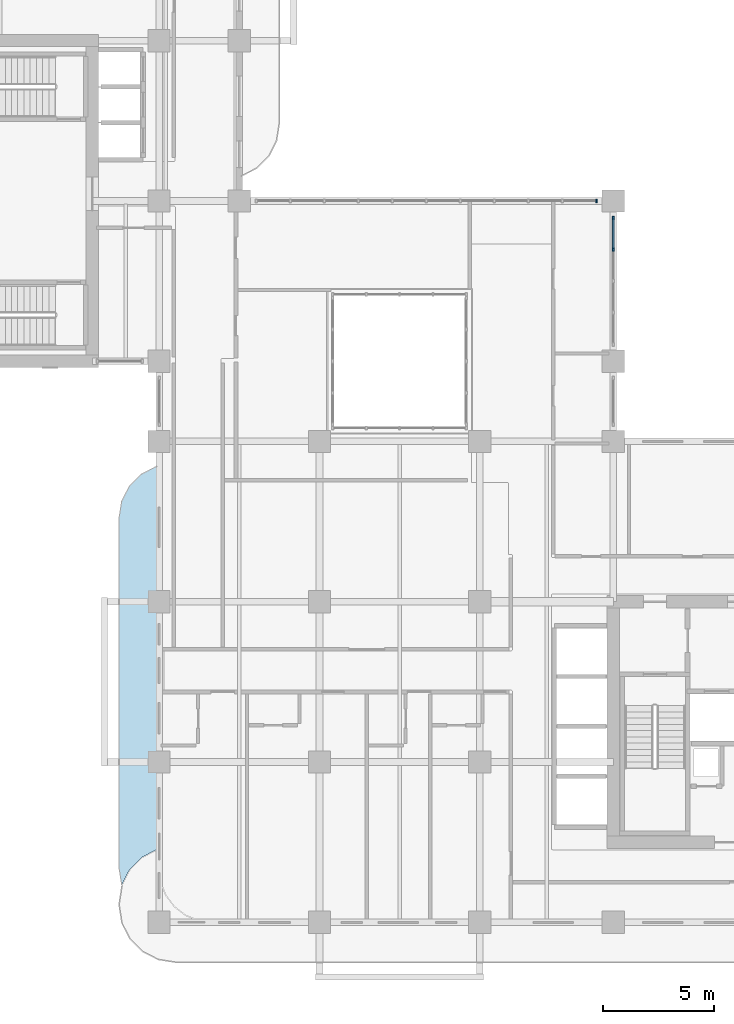
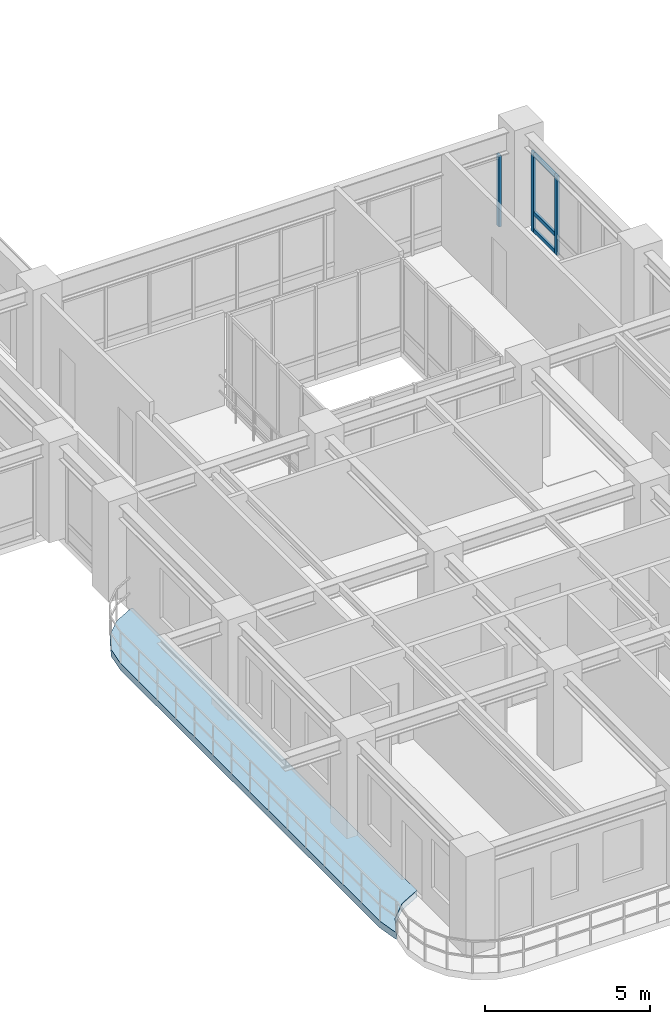
# One storey, part 7 of 20: 6 members, 1 slab, 2 elements without a shape of their own.
"""IFC4 building model written with IfcOpenShell, lengths in metres."""

from ifc_helpers import new_model, si_unit, derived_unit, direction, frame, origin, origin_2d, place, context, subcontext, project, spatial, polyline, rectangle, outline, extrude, source, transform, mapped, material, layer, layer_set, material_profile, profile_set, type_object, element, aggregate, save


model = new_model("IFC4")

# Units and contexts
model_context = context("Model", 3, precision=1e-05, world=origin(), true_north=direction((0.0, 1.0)))
body_context = subcontext(model_context, "Body", "Model", "MODEL_VIEW")
ifc_project = project(units=[si_unit("LENGTHUNIT", "METRE"), si_unit("AREAUNIT", "SQUARE_METRE"), si_unit("VOLUMEUNIT", "CUBIC_METRE"), si_unit("PLANEANGLEUNIT", "RADIAN"), si_unit("MASSUNIT", "GRAM", prefix="KILO"), si_unit("THERMODYNAMICTEMPERATUREUNIT", "KELVIN"), si_unit("POWERUNIT", "WATT"), derived_unit("THERMALTRANSMITTANCEUNIT", [(si_unit("POWERUNIT", "WATT"), 1), (si_unit("AREAUNIT", "SQUARE_METRE"), -1), (si_unit("THERMODYNAMICTEMPERATUREUNIT", "KELVIN"), -1)])], contexts=[model_context])

# Site, building, storey
site_placement = place(None, origin())
site = spatial("IfcSite", under=ifc_project, at=site_placement, CompositionType="ELEMENT")
building_placement = place(site_placement, origin())
building = spatial("IfcBuilding", under=site, at=building_placement, Name="Zahravan Archway Hotel and Residences", CompositionType="ELEMENT")
storey_placement = place(building_placement, frame((0.0, 0.0, 119.199951171875)))
storey = spatial("IfcBuildingStorey", under=building, at=storey_placement, Name="L29", CompositionType="ELEMENT", Elevation=119.199951171875)

# Curtain wall, members
ifc_material_1 = material(Name="Bronze-Anodized Unitised Aluminium & Low-E Glass", Category="aluminium")
ifc_layer_1 = layer(ifc_material_1, 0.179931640625, Name="Bronze-Anodized Unitised Aluminium & Low-E Glass", Category="aluminium")
ifc_layer_set_1 = layer_set([ifc_layer_1], Name="Bronze-Anodized Unitised Aluminium & Low-E Glass")
curtain_wall_type = type_object("IfcCurtainWallType", Name="CW-ATR-GLAZ", PredefinedType="NOTDEFINED", material=ifc_layer_set_1)
curtain_wall_1_placement = place(storey_placement, origin())
curtain_wall_1 = element("IfcCurtainWall", 1, at=curtain_wall_1_placement, inside=storey, type_object=curtain_wall_type, Name="L29 Curtain Wall CW-L29-HNG-E-2", PredefinedType="NOTDEFINED")
ifc_material_2 = material(Name="Bronze-Anodized Extruded Aluminium", Category="aluminium")
ifc_material_profile_1 = material_profile(ifc_material_2, rectangle(XDim=0.080078125, YDim=0.139892578125, at=origin_2d()), Name="TRN 80x140", Category="aluminium")
ifc_profile_set_1 = profile_set([ifc_material_profile_1], Name="Bronze-Anodized Extruded Aluminium")
member_type_1 = type_object("IfcMemberType", Name="CWM-TRN-140", PredefinedType="USERDEFINED", material=ifc_profile_set_1)
shared_shape_1 = source(origin(), body_context, "Body", "SweptSolid", [
    extrude(rectangle(XDim=0.080078125, YDim=0.139892578125, at=origin_2d()), origin(), (0.0, 0.0, 1.0), 1.340087890625),
])
member_1_placement = place(storey_placement, frame((34.800048828125, 30.260009765625, 0.070068359375), z_axis=(0.0, 1.0, 0.0), x_axis=(-1.0, 0.0, 0.0)))
member_1 = element("IfcMember", 2, at=member_1_placement, type_object=member_type_1, Name="CW-L29-HNG-E-2 Transom 3-1", ObjectType="TRANSOM", PredefinedType="USERDEFINED", context=body_context, shape_type="MappedRepresentation", body=[
    mapped(shared_shape_1, transform((0.0, 0.0, 0.0), scale=1.0)),
])
member_2_placement = place(storey_placement, frame((34.800048828125, 30.260009765625, 0.704345703125), z_axis=(0.0, 1.0, 0.0), x_axis=(-1.0, 0.0, 0.0)))
member_2 = element("IfcMember", 3, at=member_2_placement, type_object=member_type_1, Name="CW-L29-HNG-E-2 Transom 3-2", ObjectType="TRANSOM", PredefinedType="USERDEFINED", context=body_context, shape_type="MappedRepresentation", body=[
    mapped(shared_shape_1, transform((0.0, 0.0, 0.0), scale=1.0)),
])
member_3_placement = place(storey_placement, frame((34.800048828125, 30.260009765625, 2.864990234375), z_axis=(0.0, 1.0, 0.0), x_axis=(-1.0, 0.0, 0.0)))
member_3 = element("IfcMember", 4, at=member_3_placement, type_object=member_type_1, Name="CW-L29-HNG-E-2 Transom 3-3", ObjectType="TRANSOM", PredefinedType="USERDEFINED", context=body_context, shape_type="MappedRepresentation", body=[
    mapped(shared_shape_1, transform((0.0, 0.0, 0.0), scale=1.0)),
])

# Curtain wall, member
curtain_wall_2_placement = place(storey_placement, origin())
curtain_wall_2 = element("IfcCurtainWall", 5, at=curtain_wall_2_placement, inside=storey, type_object=curtain_wall_type, Name="L29 Curtain Wall CW-L29-HNG-N-1", PredefinedType="NOTDEFINED")
ifc_material_profile_2 = material_profile(ifc_material_2, rectangle(XDim=0.080078125, YDim=0.159912109375, at=origin_2d()), Name="MUL 80x160", Category="aluminium")
ifc_profile_set_2 = profile_set([ifc_material_profile_2], Name="Bronze-Anodized Extruded Aluminium")
member_type_2 = type_object("IfcMemberType", Name="CWM-MUL-160", PredefinedType="MULLION", material=ifc_profile_set_2)
shared_shape_2 = source(origin(), body_context, "Body", "SweptSolid", [
    extrude(rectangle(XDim=0.080078125, YDim=0.159912109375, at=origin_2d()), origin(), (0.0, 0.0, 1.0), 2.635009765625),
])
member_4_placement = place(storey_placement, frame((34.0400390625, 32.39990234375, 0.0), z_axis=(0.0, 0.0, 1.0), x_axis=(1.0, 0.0, 0.0)))
member_4 = element("IfcMember", 6, at=member_4_placement, type_object=member_type_2, Name="CW-L29-HNG-N-1 Mullion 10", PredefinedType="MULLION", context=body_context, shape_type="MappedRepresentation", body=[
    mapped(shared_shape_2, transform((0.0, 0.0, 0.0), scale=1.0)),
])
aggregate(curtain_wall_2, [member_4])

# Member
shared_shape_3 = source(origin(), body_context, "Body", "SweptSolid", [
    extrude(rectangle(XDim=0.080078125, YDim=0.159912109375, at=origin_2d()), origin(), (0.0, 0.0, 1.0), 2.93505859375),
])
member_5_placement = place(storey_placement, frame((34.800048828125, 30.219970703125, 0.0), z_axis=(0.0, 0.0, 1.0), x_axis=(1.0, 0.0, 0.0)))
member_5 = element("IfcMember", 7, at=member_5_placement, type_object=member_type_2, Name="CW-L29-HNG-E-2 Mullion 3", PredefinedType="MULLION", context=body_context, shape_type="MappedRepresentation", body=[
    mapped(shared_shape_3, transform((0.0, 0.0, 0.0), scale=1.0)),
])

member_6_placement = place(storey_placement, frame((34.800048828125, 31.639892578125, 0.0), z_axis=(0.0, 0.0, 1.0), x_axis=(1.0, 0.0, 0.0)))
member_6 = element("IfcMember", 8, at=member_6_placement, type_object=member_type_2, Name="CW-L29-HNG-E-2 Mullion 4", PredefinedType="MULLION", context=body_context, shape_type="MappedRepresentation", body=[
    mapped(shared_shape_3, transform((0.0, 0.0, 0.0), scale=1.0)),
])

aggregate(curtain_wall_1, [member_5, member_6, member_1, member_2, member_3])

# Slab
ifc_material_3 = material(Name="Concrete C45/55", Category="concrete")
ifc_layer_2 = layer(ifc_material_3, 0.25, Name="Concrete C45/55", Category="concrete")
ifc_layer_set_2 = layer_set([ifc_layer_2], Name="Concrete C45/55")
slab_type = type_object("IfcSlabType", Name="SLB-BALC-250", PredefinedType="FLOOR", material=ifc_layer_set_2)
slab_placement = place(storey_placement, frame((0.0, 0.0, -0.25)))
element("IfcSlab", 9, at=slab_placement, inside=storey, type_object=slab_type, Name="L29 Wing A West Rounded Balcony Band", PredefinedType="FLOOR", context=body_context, shape_type="SweptSolid", body=[
    extrude(outline(polyline([(12.719970703125, 1.69287109375), (12.60009765625, 2.449951171875), (12.60009765625, 18.14990234375), (12.719970703125, 18.906982421875), (13.06787109375, 19.590087890625), (13.60986328125, 20.132080078125), (14.29296875, 20.47998046875), (14.3798828125, 20.493896484375), (14.3798828125, 3.298095703125), (14.37890625, 3.298095703125), (14.376953125, 3.2978515625), (14.35888671875, 3.294921875), (14.356689453125, 3.29443359375), (14.354736328125, 3.2939453125), (14.352783203125, 3.29296875), (13.64208984375, 2.930908203125), (13.64013671875, 2.9296875), (13.638427734375, 2.928466796875), (13.636962890625, 2.927001953125), (13.072998046875, 2.363037109375), (13.071533203125, 2.361572265625), (13.0703125, 2.35986328125), (13.069091796875, 2.35791015625), (12.72509765625, 1.6826171875), (12.719970703125, 1.69287109375)])), origin(), (0.0, 0.0, 1.0), 0.25),
])

save(model, "model.ifc")
